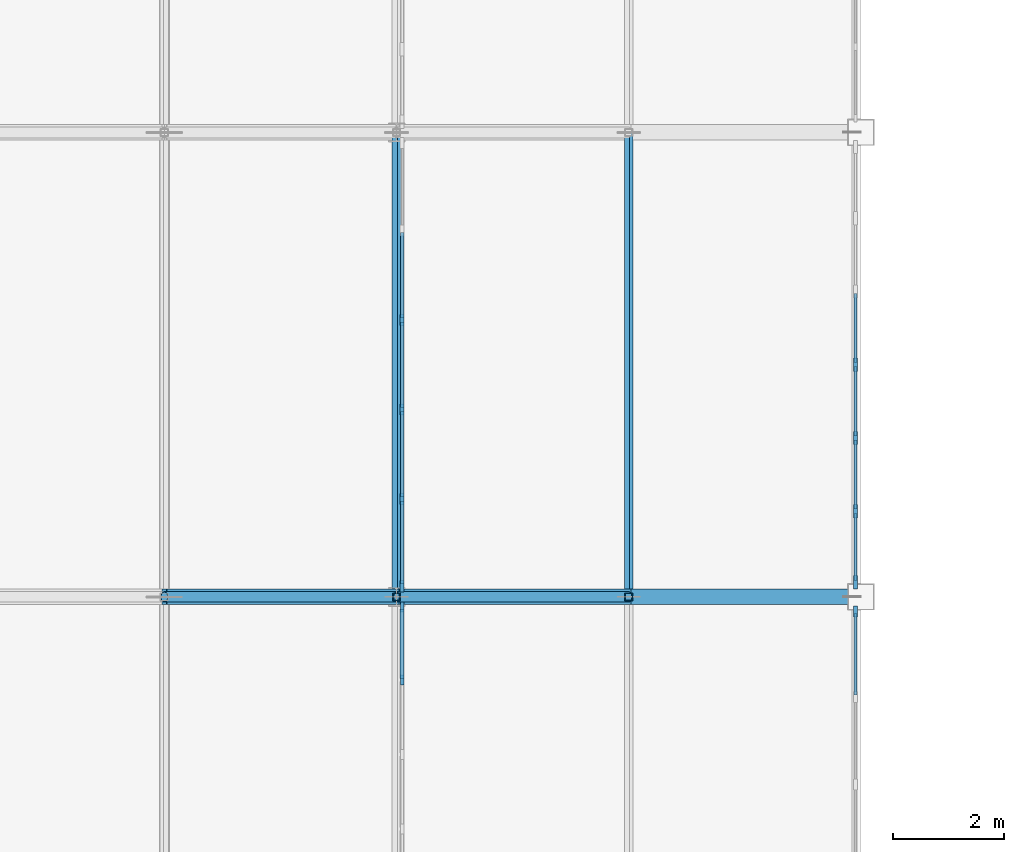
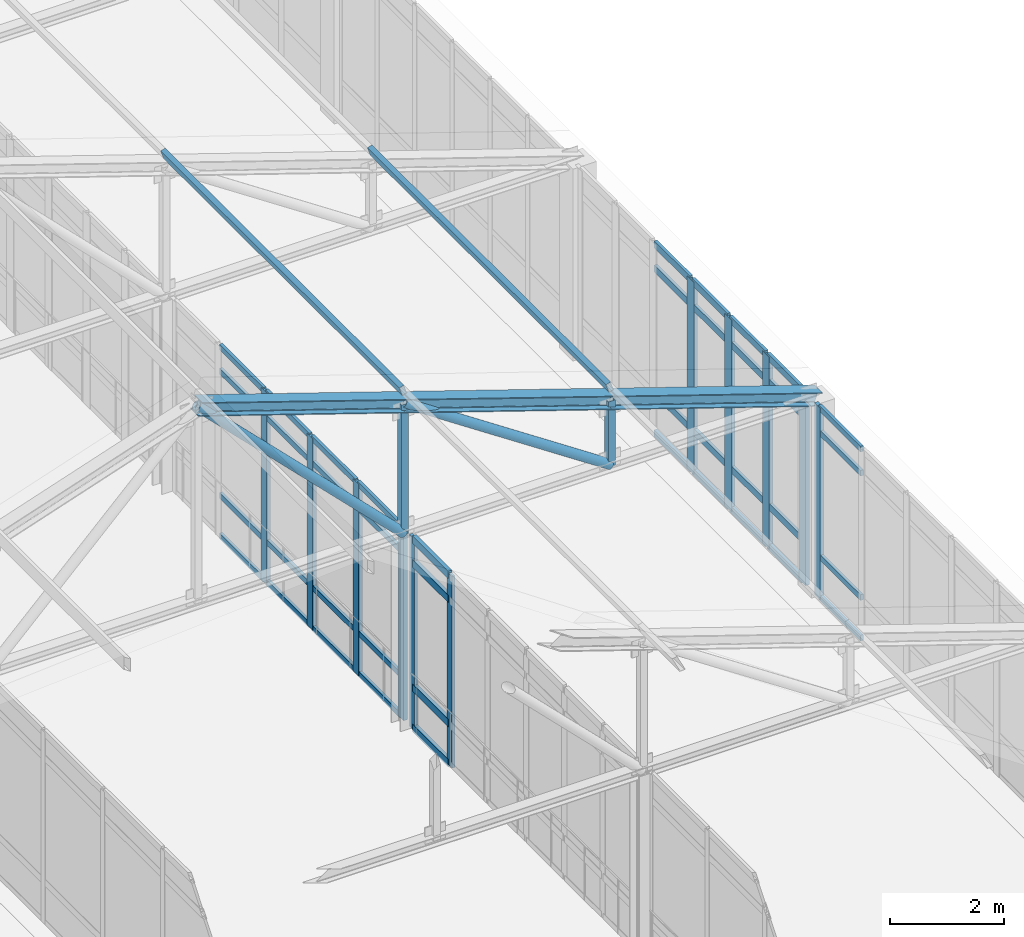
# One storey, part 64 of 192: 60 members, 4 elements without a shape of their own.
"""IFC4 building model written with IfcOpenShell, lengths in metres."""

from ifc_helpers import new_model, si_unit, direction, frame, origin, origin_2d, place, context, subcontext, project, spatial, rectangle, hollow_rectangle, hollow_circle, i_section, extrude, material, layer, layer_set, material_profile, profile_set, type_object, element, aggregate, save


model = new_model("IFC4")

# Units and contexts
model_context = context("Model", 3, precision=1e-05, world=origin(), true_north=direction((0.0, 1.0)))
body_context = subcontext(model_context, "Body", "Model", "MODEL_VIEW")
ifc_project = project(units=[si_unit("LENGTHUNIT", "METRE"), si_unit("AREAUNIT", "SQUARE_METRE"), si_unit("VOLUMEUNIT", "CUBIC_METRE"), si_unit("PLANEANGLEUNIT", "RADIAN"), si_unit("MASSUNIT", "GRAM", prefix="KILO")], contexts=[model_context])

# Site, building, storey
site_placement = place(None, origin())
site = spatial("IfcSite", under=ifc_project, at=site_placement, CompositionType="ELEMENT")
building_placement = place(site_placement, origin())
building = spatial("IfcBuilding", under=site, at=building_placement, Name="Kveldsbrygga Polytechnic", CompositionType="ELEMENT")
storey_placement = place(building_placement, frame((0.0, 0.0, 5.43994140625)))
storey = spatial("IfcBuildingStorey", under=building, at=storey_placement, Name="L01", CompositionType="ELEMENT", Elevation=5.43994140625)

# Curtain wall, members
ifc_material_1 = material(Name="Anodised aluminium AW-6060", Category="aluminium")
ifc_layer_1 = layer(ifc_material_1, 0.169921875)
ifc_layer_set_1 = layer_set([ifc_layer_1], Name="Anodised aluminium AW-6060")
curtain_wall_type_1 = type_object("IfcCurtainWallType", Name="CW-FOYR-F", PredefinedType="USERDEFINED", material=ifc_layer_set_1)
curtain_wall_1_placement = place(storey_placement, origin())
curtain_wall_1 = element("IfcCurtainWall", 1, at=curtain_wall_1_placement, inside=storey, type_object=curtain_wall_type_1, Name="Curtain Wall CW-L01-Y-08-03", ObjectType="STICK CURTAIN WALL", PredefinedType="USERDEFINED")
ifc_material_profile_1 = material_profile(ifc_material_1, rectangle(XDim=0.06005859375, YDim=0.179931640625, at=origin_2d()), Name="ALU 60x180")
ifc_profile_set_1 = profile_set([ifc_material_profile_1], Name="Anodised aluminium AW-6060")
member_type_1 = type_object("IfcMemberType", Name="CW-MUL-180", PredefinedType="MULLION", material=ifc_profile_set_1)
member_1_placement = place(storey_placement, frame((67.300048828125, 32.0966796875, 0.0), z_axis=(0.0, 0.0, 1.0), x_axis=(-1.0, 0.0, 0.0)))
member_1 = element("IfcMember", 2, at=member_1_placement, type_object=member_type_1, Name="CW-06 mullion 6", PredefinedType="MULLION", context=body_context, shape_type="SweptSolid", body=[
    extrude(rectangle(XDim=0.06005859375, YDim=0.179931640625, at=origin_2d()), origin(), (0.0, 0.0, 1.0), 4.1201171875),
])
member_2_placement = place(storey_placement, frame((67.300048828125, 33.4150390625, 0.0), z_axis=(0.0, 0.0, 1.0), x_axis=(-1.0, 0.0, 0.0)))
member_2 = element("IfcMember", 3, at=member_2_placement, type_object=member_type_1, Name="CW-06 mullion 7", PredefinedType="MULLION", context=body_context, shape_type="SweptSolid", body=[
    extrude(rectangle(XDim=0.06005859375, YDim=0.179931640625, at=origin_2d()), origin(), (0.0, 0.0, 1.0), 4.1201171875),
])

# Curtain wall, member
ifc_layer_2 = layer(ifc_material_1, 0.18994140625)
ifc_layer_set_2 = layer_set([ifc_layer_2], Name="Anodised aluminium AW-6060")
curtain_wall_type_2 = type_object("IfcCurtainWallType", Name="CW-REFC-G", PredefinedType="USERDEFINED", material=ifc_layer_set_2)
curtain_wall_2_placement = place(storey_placement, origin())
curtain_wall_2 = element("IfcCurtainWall", 4, at=curtain_wall_2_placement, inside=storey, type_object=curtain_wall_type_2, Name="Curtain Wall CW-L01-Y-09-03", ObjectType="UNITISED CURTAIN WALL", PredefinedType="USERDEFINED")
ifc_material_profile_2 = material_profile(ifc_material_1, rectangle(XDim=0.074951171875, YDim=0.199951171875, at=origin_2d()), Name="ALU 75x200")
ifc_profile_set_2 = profile_set([ifc_material_profile_2], Name="Anodised aluminium AW-6060")
member_type_2 = type_object("IfcMemberType", Name="CW-MUL-200", PredefinedType="MULLION", material=ifc_profile_set_2)
member_3_placement = place(storey_placement, frame((75.5, 33.33740234375, 0.0), z_axis=(0.0, 0.0, 1.0), x_axis=(-1.0, 0.0, 0.0)))
member_3 = element("IfcMember", 5, at=member_3_placement, type_object=member_type_2, Name="CW-07 mullion 6", PredefinedType="MULLION", context=body_context, shape_type="SweptSolid", body=[
    extrude(rectangle(XDim=0.074951171875, YDim=0.199951171875, at=origin_2d()), origin(), (0.0, 0.0, 1.0), 4.1201171875),
])

# Curtain wall, members
curtain_wall_3_placement = place(storey_placement, origin())
curtain_wall_3 = element("IfcCurtainWall", 6, at=curtain_wall_3_placement, inside=storey, type_object=curtain_wall_type_2, Name="Curtain Wall CW-L01-Y-08-04", ObjectType="UNITISED CURTAIN WALL", PredefinedType="USERDEFINED")
member_4_placement = place(storey_placement, frame((67.300048828125, 33.79248046875, 0.0), z_axis=(0.0, 0.0, 1.0), x_axis=(-1.0, 0.0, 0.0)))
member_4 = element("IfcMember", 7, at=member_4_placement, type_object=member_type_2, Name="CW-07 mullion 1", PredefinedType="MULLION", context=body_context, shape_type="SweptSolid", body=[
    extrude(rectangle(XDim=0.074951171875, YDim=0.199951171875, at=origin_2d()), origin(), (0.0, 0.0, 1.0), 4.1201171875),
])
member_5_placement = place(storey_placement, frame((67.300048828125, 35.373046875, 0.0), z_axis=(0.0, 0.0, 1.0), x_axis=(-1.0, 0.0, 0.0)))
member_5 = element("IfcMember", 8, at=member_5_placement, type_object=member_type_2, Name="CW-07 mullion 2", PredefinedType="MULLION", context=body_context, shape_type="SweptSolid", body=[
    extrude(rectangle(XDim=0.074951171875, YDim=0.199951171875, at=origin_2d()), origin(), (0.0, 0.0, 1.0), 4.1201171875),
])
member_6_placement = place(storey_placement, frame((67.300048828125, 36.990966796875, 0.0), z_axis=(0.0, 0.0, 1.0), x_axis=(-1.0, 0.0, 0.0)))
member_6 = element("IfcMember", 9, at=member_6_placement, type_object=member_type_2, Name="CW-07 mullion 3", PredefinedType="MULLION", context=body_context, shape_type="SweptSolid", body=[
    extrude(rectangle(XDim=0.074951171875, YDim=0.199951171875, at=origin_2d()), origin(), (0.0, 0.0, 1.0), 4.1201171875),
])
member_7_placement = place(storey_placement, frame((67.300048828125, 38.60888671875, 0.0), z_axis=(0.0, 0.0, 1.0), x_axis=(-1.0, 0.0, 0.0)))
member_7 = element("IfcMember", 10, at=member_7_placement, type_object=member_type_2, Name="CW-07 mullion 4", PredefinedType="MULLION", context=body_context, shape_type="SweptSolid", body=[
    extrude(rectangle(XDim=0.074951171875, YDim=0.199951171875, at=origin_2d()), origin(), (0.0, 0.0, 1.0), 4.1201171875),
])

ifc_layer_3 = layer(ifc_material_1, 0.2099609375)
ifc_layer_set_3 = layer_set([ifc_layer_3], Name="Anodised aluminium AW-6060")
curtain_wall_type_3 = type_object("IfcCurtainWallType", Name="CW-LIBR-H", PredefinedType="USERDEFINED", material=ifc_layer_set_3)
curtain_wall_4_placement = place(storey_placement, origin())
curtain_wall_4 = element("IfcCurtainWall", 11, at=curtain_wall_4_placement, inside=storey, type_object=curtain_wall_type_3, Name="Curtain Wall CW-L01-Y-09-04", ObjectType="UNITISED CURTAIN WALL", PredefinedType="USERDEFINED")
ifc_material_profile_3 = material_profile(ifc_material_1, rectangle(XDim=0.074951171875, YDim=0.239990234375, at=origin_2d()), Name="ALU 75x240")
ifc_profile_set_3 = profile_set([ifc_material_profile_3], Name="Anodised aluminium AW-6060")
member_type_3 = type_object("IfcMemberType", Name="CW-MUL-240", PredefinedType="MULLION", material=ifc_profile_set_3)
member_8_placement = place(storey_placement, frame((75.5, 33.862548828125, 0.0), z_axis=(0.0, 0.0, 1.0), x_axis=(-1.0, 0.0, 0.0)))
member_8 = element("IfcMember", 12, at=member_8_placement, type_object=member_type_3, Name="CW-08 mullion 1", PredefinedType="MULLION", context=body_context, shape_type="SweptSolid", body=[
    extrude(rectangle(XDim=0.074951171875, YDim=0.239990234375, at=origin_2d()), origin(), (0.0, 0.0, 1.0), 4.1201171875),
])
member_9_placement = place(storey_placement, frame((75.5, 35.14990234375, 0.0), z_axis=(0.0, 0.0, 1.0), x_axis=(-1.0, 0.0, 0.0)))
member_9 = element("IfcMember", 13, at=member_9_placement, type_object=member_type_3, Name="CW-08 mullion 2", PredefinedType="MULLION", context=body_context, shape_type="SweptSolid", body=[
    extrude(rectangle(XDim=0.074951171875, YDim=0.239990234375, at=origin_2d()), origin(), (0.0, 0.0, 1.0), 4.1201171875),
])
member_10_placement = place(storey_placement, frame((75.5, 36.47509765625, 0.0), z_axis=(0.0, 0.0, 1.0), x_axis=(-1.0, 0.0, 0.0)))
member_10 = element("IfcMember", 14, at=member_10_placement, type_object=member_type_3, Name="CW-08 mullion 3", PredefinedType="MULLION", context=body_context, shape_type="SweptSolid", body=[
    extrude(rectangle(XDim=0.074951171875, YDim=0.239990234375, at=origin_2d()), origin(), (0.0, 0.0, 1.0), 4.1201171875),
])
member_11_placement = place(storey_placement, frame((75.5, 37.800048828125, 0.0), z_axis=(0.0, 0.0, 1.0), x_axis=(-1.0, 0.0, 0.0)))
member_11 = element("IfcMember", 15, at=member_11_placement, type_object=member_type_3, Name="CW-08 mullion 4", PredefinedType="MULLION", context=body_context, shape_type="SweptSolid", body=[
    extrude(rectangle(XDim=0.074951171875, YDim=0.239990234375, at=origin_2d()), origin(), (0.0, 0.0, 1.0), 4.1201171875),
])

# Member
ifc_material_profile_4 = material_profile(ifc_material_1, rectangle(XDim=0.06005859375, YDim=0.1201171875, at=origin_2d()), Name="ALU 60x120")
ifc_profile_set_4 = profile_set([ifc_material_profile_4], Name="Anodised aluminium AW-6060")
member_type_4 = type_object("IfcMemberType", Name="CW-TRN-120", PredefinedType="USERDEFINED", material=ifc_profile_set_4)
member_12_placement = place(storey_placement, frame((75.5, 31.82958984375, 0.030029296875), z_axis=(0.0, 1.0, 0.0), x_axis=(-1.0, 0.0, 0.0)))
member_12 = element("IfcMember", 16, at=member_12_placement, type_object=member_type_4, Name="CW-07 transom 5.1", ObjectType="TRANSOM", PredefinedType="USERDEFINED", context=body_context, shape_type="SweptSolid", body=[
    extrude(rectangle(XDim=0.06005859375, YDim=0.1201171875, at=origin_2d()), origin(), (0.0, 0.0, 1.0), 1.470458984375),
])

member_13_placement = place(storey_placement, frame((75.5, 31.82958984375, 0.900146484375), z_axis=(0.0, 1.0, 0.0), x_axis=(-1.0, 0.0, 0.0)))
member_13 = element("IfcMember", 17, at=member_13_placement, type_object=member_type_4, Name="CW-07 transom 5.2", ObjectType="TRANSOM", PredefinedType="USERDEFINED", context=body_context, shape_type="SweptSolid", body=[
    extrude(rectangle(XDim=0.06005859375, YDim=0.1201171875, at=origin_2d()), origin(), (0.0, 0.0, 1.0), 1.470458984375),
])

member_14_placement = place(storey_placement, frame((75.5, 31.82958984375, 3.570068359375), z_axis=(0.0, 1.0, 0.0), x_axis=(-1.0, 0.0, 0.0)))
member_14 = element("IfcMember", 18, at=member_14_placement, type_object=member_type_4, Name="CW-07 transom 5.3", ObjectType="TRANSOM", PredefinedType="USERDEFINED", context=body_context, shape_type="SweptSolid", body=[
    extrude(rectangle(XDim=0.06005859375, YDim=0.1201171875, at=origin_2d()), origin(), (0.0, 0.0, 1.0), 1.470458984375),
])

member_15_placement = place(storey_placement, frame((75.5, 31.82958984375, 4.090087890625), z_axis=(0.0, 1.0, 0.0), x_axis=(-1.0, 0.0, 0.0)))
member_15 = element("IfcMember", 19, at=member_15_placement, type_object=member_type_4, Name="CW-07 transom 5.4", ObjectType="TRANSOM", PredefinedType="USERDEFINED", context=body_context, shape_type="SweptSolid", body=[
    extrude(rectangle(XDim=0.06005859375, YDim=0.1201171875, at=origin_2d()), origin(), (0.0, 0.0, 1.0), 1.470458984375),
])

aggregate(curtain_wall_2, [member_3, member_12, member_13, member_14, member_15])

member_16_placement = place(storey_placement, frame((67.300048828125, 33.830078125, 0.030029296875), z_axis=(0.0, 1.0, 0.0), x_axis=(-1.0, 0.0, 0.0)))
member_16 = element("IfcMember", 20, at=member_16_placement, type_object=member_type_4, Name="CW-07 transom 1.1", ObjectType="TRANSOM", PredefinedType="USERDEFINED", context=body_context, shape_type="SweptSolid", body=[
    extrude(rectangle(XDim=0.06005859375, YDim=0.1201171875, at=origin_2d()), origin(), (0.0, 0.0, 1.0), 1.50537109375),
])

member_17_placement = place(storey_placement, frame((67.300048828125, 33.830078125, 0.900146484375), z_axis=(0.0, 1.0, 0.0), x_axis=(-1.0, 0.0, 0.0)))
member_17 = element("IfcMember", 21, at=member_17_placement, type_object=member_type_4, Name="CW-07 transom 1.2", ObjectType="TRANSOM", PredefinedType="USERDEFINED", context=body_context, shape_type="SweptSolid", body=[
    extrude(rectangle(XDim=0.06005859375, YDim=0.1201171875, at=origin_2d()), origin(), (0.0, 0.0, 1.0), 1.50537109375),
])

member_18_placement = place(storey_placement, frame((67.300048828125, 33.830078125, 3.570068359375), z_axis=(0.0, 1.0, 0.0), x_axis=(-1.0, 0.0, 0.0)))
member_18 = element("IfcMember", 22, at=member_18_placement, type_object=member_type_4, Name="CW-07 transom 1.3", ObjectType="TRANSOM", PredefinedType="USERDEFINED", context=body_context, shape_type="SweptSolid", body=[
    extrude(rectangle(XDim=0.06005859375, YDim=0.1201171875, at=origin_2d()), origin(), (0.0, 0.0, 1.0), 1.50537109375),
])

member_19_placement = place(storey_placement, frame((67.300048828125, 33.830078125, 4.090087890625), z_axis=(0.0, 1.0, 0.0), x_axis=(-1.0, 0.0, 0.0)))
member_19 = element("IfcMember", 23, at=member_19_placement, type_object=member_type_4, Name="CW-07 transom 1.4", ObjectType="TRANSOM", PredefinedType="USERDEFINED", context=body_context, shape_type="SweptSolid", body=[
    extrude(rectangle(XDim=0.06005859375, YDim=0.1201171875, at=origin_2d()), origin(), (0.0, 0.0, 1.0), 1.50537109375),
])

member_20_placement = place(storey_placement, frame((67.300048828125, 35.410400390625, 0.030029296875), z_axis=(0.0, 1.0, 0.0), x_axis=(-1.0, 0.0, 0.0)))
member_20 = element("IfcMember", 24, at=member_20_placement, type_object=member_type_4, Name="CW-07 transom 2.1", ObjectType="TRANSOM", PredefinedType="USERDEFINED", context=body_context, shape_type="SweptSolid", body=[
    extrude(rectangle(XDim=0.06005859375, YDim=0.1201171875, at=origin_2d()), origin(), (0.0, 0.0, 1.0), 1.543212890625),
])

member_21_placement = place(storey_placement, frame((67.300048828125, 35.410400390625, 0.900146484375), z_axis=(0.0, 1.0, 0.0), x_axis=(-1.0, 0.0, 0.0)))
member_21 = element("IfcMember", 25, at=member_21_placement, type_object=member_type_4, Name="CW-07 transom 2.2", ObjectType="TRANSOM", PredefinedType="USERDEFINED", context=body_context, shape_type="SweptSolid", body=[
    extrude(rectangle(XDim=0.06005859375, YDim=0.1201171875, at=origin_2d()), origin(), (0.0, 0.0, 1.0), 1.543212890625),
])

member_22_placement = place(storey_placement, frame((67.300048828125, 35.410400390625, 3.570068359375), z_axis=(0.0, 1.0, 0.0), x_axis=(-1.0, 0.0, 0.0)))
member_22 = element("IfcMember", 26, at=member_22_placement, type_object=member_type_4, Name="CW-07 transom 2.3", ObjectType="TRANSOM", PredefinedType="USERDEFINED", context=body_context, shape_type="SweptSolid", body=[
    extrude(rectangle(XDim=0.06005859375, YDim=0.1201171875, at=origin_2d()), origin(), (0.0, 0.0, 1.0), 1.543212890625),
])

member_23_placement = place(storey_placement, frame((67.300048828125, 35.410400390625, 4.090087890625), z_axis=(0.0, 1.0, 0.0), x_axis=(-1.0, 0.0, 0.0)))
member_23 = element("IfcMember", 27, at=member_23_placement, type_object=member_type_4, Name="CW-07 transom 2.4", ObjectType="TRANSOM", PredefinedType="USERDEFINED", context=body_context, shape_type="SweptSolid", body=[
    extrude(rectangle(XDim=0.06005859375, YDim=0.1201171875, at=origin_2d()), origin(), (0.0, 0.0, 1.0), 1.543212890625),
])

member_24_placement = place(storey_placement, frame((67.300048828125, 37.028564453125, 0.030029296875), z_axis=(0.0, 1.0, 0.0), x_axis=(-1.0, 0.0, 0.0)))
member_24 = element("IfcMember", 28, at=member_24_placement, type_object=member_type_4, Name="CW-07 transom 3.1", ObjectType="TRANSOM", PredefinedType="USERDEFINED", context=body_context, shape_type="SweptSolid", body=[
    extrude(rectangle(XDim=0.06005859375, YDim=0.1201171875, at=origin_2d()), origin(), (0.0, 0.0, 1.0), 1.54296875),
])

member_25_placement = place(storey_placement, frame((67.300048828125, 37.028564453125, 0.900146484375), z_axis=(0.0, 1.0, 0.0), x_axis=(-1.0, 0.0, 0.0)))
member_25 = element("IfcMember", 29, at=member_25_placement, type_object=member_type_4, Name="CW-07 transom 3.2", ObjectType="TRANSOM", PredefinedType="USERDEFINED", context=body_context, shape_type="SweptSolid", body=[
    extrude(rectangle(XDim=0.06005859375, YDim=0.1201171875, at=origin_2d()), origin(), (0.0, 0.0, 1.0), 1.54296875),
])

member_26_placement = place(storey_placement, frame((67.300048828125, 37.028564453125, 3.570068359375), z_axis=(0.0, 1.0, 0.0), x_axis=(-1.0, 0.0, 0.0)))
member_26 = element("IfcMember", 30, at=member_26_placement, type_object=member_type_4, Name="CW-07 transom 3.3", ObjectType="TRANSOM", PredefinedType="USERDEFINED", context=body_context, shape_type="SweptSolid", body=[
    extrude(rectangle(XDim=0.06005859375, YDim=0.1201171875, at=origin_2d()), origin(), (0.0, 0.0, 1.0), 1.54296875),
])

member_27_placement = place(storey_placement, frame((67.300048828125, 37.028564453125, 4.090087890625), z_axis=(0.0, 1.0, 0.0), x_axis=(-1.0, 0.0, 0.0)))
member_27 = element("IfcMember", 31, at=member_27_placement, type_object=member_type_4, Name="CW-07 transom 3.4", ObjectType="TRANSOM", PredefinedType="USERDEFINED", context=body_context, shape_type="SweptSolid", body=[
    extrude(rectangle(XDim=0.06005859375, YDim=0.1201171875, at=origin_2d()), origin(), (0.0, 0.0, 1.0), 1.54296875),
])

member_28_placement = place(storey_placement, frame((67.300048828125, 38.646484375, 0.030029296875), z_axis=(0.0, 1.0, 0.0), x_axis=(-1.0, 0.0, 0.0)))
member_28 = element("IfcMember", 32, at=member_28_placement, type_object=member_type_4, Name="CW-07 transom 4.1", ObjectType="TRANSOM", PredefinedType="USERDEFINED", context=body_context, shape_type="SweptSolid", body=[
    extrude(rectangle(XDim=0.06005859375, YDim=0.1201171875, at=origin_2d()), origin(), (0.0, 0.0, 1.0), 1.54296875),
])

member_29_placement = place(storey_placement, frame((67.300048828125, 38.646484375, 0.900146484375), z_axis=(0.0, 1.0, 0.0), x_axis=(-1.0, 0.0, 0.0)))
member_29 = element("IfcMember", 33, at=member_29_placement, type_object=member_type_4, Name="CW-07 transom 4.2", ObjectType="TRANSOM", PredefinedType="USERDEFINED", context=body_context, shape_type="SweptSolid", body=[
    extrude(rectangle(XDim=0.06005859375, YDim=0.1201171875, at=origin_2d()), origin(), (0.0, 0.0, 1.0), 1.54296875),
])

member_30_placement = place(storey_placement, frame((67.300048828125, 38.646484375, 3.570068359375), z_axis=(0.0, 1.0, 0.0), x_axis=(-1.0, 0.0, 0.0)))
member_30 = element("IfcMember", 34, at=member_30_placement, type_object=member_type_4, Name="CW-07 transom 4.3", ObjectType="TRANSOM", PredefinedType="USERDEFINED", context=body_context, shape_type="SweptSolid", body=[
    extrude(rectangle(XDim=0.06005859375, YDim=0.1201171875, at=origin_2d()), origin(), (0.0, 0.0, 1.0), 1.54296875),
])

member_31_placement = place(storey_placement, frame((67.300048828125, 38.646484375, 4.090087890625), z_axis=(0.0, 1.0, 0.0), x_axis=(-1.0, 0.0, 0.0)))
member_31 = element("IfcMember", 35, at=member_31_placement, type_object=member_type_4, Name="CW-07 transom 4.4", ObjectType="TRANSOM", PredefinedType="USERDEFINED", context=body_context, shape_type="SweptSolid", body=[
    extrude(rectangle(XDim=0.06005859375, YDim=0.1201171875, at=origin_2d()), origin(), (0.0, 0.0, 1.0), 1.54296875),
])

aggregate(curtain_wall_3, [member_4, member_5, member_6, member_7, member_16, member_17, member_18, member_19, member_20, member_21, member_22, member_23, member_24, member_25, member_26, member_27, member_28, member_29, member_30, member_31])

ifc_material_profile_5 = material_profile(ifc_material_1, rectangle(XDim=0.06005859375, YDim=0.14990234375, at=origin_2d()), Name="ALU 60x150")
ifc_profile_set_5 = profile_set([ifc_material_profile_5], Name="Anodised aluminium AW-6060")
member_type_5 = type_object("IfcMemberType", Name="CW-TRN-150", PredefinedType="USERDEFINED", material=ifc_profile_set_5)
member_32_placement = place(storey_placement, frame((75.5, 33.89990234375, 0.030029296875), z_axis=(0.0, 1.0, 0.0), x_axis=(-1.0, 0.0, 0.0)))
member_32 = element("IfcMember", 36, at=member_32_placement, type_object=member_type_5, Name="CW-08 transom 1.1", ObjectType="TRANSOM", PredefinedType="USERDEFINED", context=body_context, shape_type="SweptSolid", body=[
    extrude(rectangle(XDim=0.06005859375, YDim=0.14990234375, at=origin_2d()), origin(), (0.0, 0.0, 1.0), 1.212646484375),
])

member_33_placement = place(storey_placement, frame((75.5, 33.89990234375, 0.900146484375), z_axis=(0.0, 1.0, 0.0), x_axis=(-1.0, 0.0, 0.0)))
member_33 = element("IfcMember", 37, at=member_33_placement, type_object=member_type_5, Name="CW-08 transom 1.2", ObjectType="TRANSOM", PredefinedType="USERDEFINED", context=body_context, shape_type="SweptSolid", body=[
    extrude(rectangle(XDim=0.06005859375, YDim=0.14990234375, at=origin_2d()), origin(), (0.0, 0.0, 1.0), 1.212646484375),
])

member_34_placement = place(storey_placement, frame((75.5, 33.89990234375, 3.570068359375), z_axis=(0.0, 1.0, 0.0), x_axis=(-1.0, 0.0, 0.0)))
member_34 = element("IfcMember", 38, at=member_34_placement, type_object=member_type_5, Name="CW-08 transom 1.3", ObjectType="TRANSOM", PredefinedType="USERDEFINED", context=body_context, shape_type="SweptSolid", body=[
    extrude(rectangle(XDim=0.06005859375, YDim=0.14990234375, at=origin_2d()), origin(), (0.0, 0.0, 1.0), 1.212646484375),
])

member_35_placement = place(storey_placement, frame((75.5, 33.89990234375, 4.090087890625), z_axis=(0.0, 1.0, 0.0), x_axis=(-1.0, 0.0, 0.0)))
member_35 = element("IfcMember", 39, at=member_35_placement, type_object=member_type_5, Name="CW-08 transom 1.4", ObjectType="TRANSOM", PredefinedType="USERDEFINED", context=body_context, shape_type="SweptSolid", body=[
    extrude(rectangle(XDim=0.06005859375, YDim=0.14990234375, at=origin_2d()), origin(), (0.0, 0.0, 1.0), 1.212646484375),
])

member_36_placement = place(storey_placement, frame((75.5, 35.1875, 0.030029296875), z_axis=(0.0, 1.0, 0.0), x_axis=(-1.0, 0.0, 0.0)))
member_36 = element("IfcMember", 40, at=member_36_placement, type_object=member_type_5, Name="CW-08 transom 2.1", ObjectType="TRANSOM", PredefinedType="USERDEFINED", context=body_context, shape_type="SweptSolid", body=[
    extrude(rectangle(XDim=0.06005859375, YDim=0.14990234375, at=origin_2d()), origin(), (0.0, 0.0, 1.0), 1.25),
])

member_37_placement = place(storey_placement, frame((75.5, 35.1875, 0.900146484375), z_axis=(0.0, 1.0, 0.0), x_axis=(-1.0, 0.0, 0.0)))
member_37 = element("IfcMember", 41, at=member_37_placement, type_object=member_type_5, Name="CW-08 transom 2.2", ObjectType="TRANSOM", PredefinedType="USERDEFINED", context=body_context, shape_type="SweptSolid", body=[
    extrude(rectangle(XDim=0.06005859375, YDim=0.14990234375, at=origin_2d()), origin(), (0.0, 0.0, 1.0), 1.25),
])

member_38_placement = place(storey_placement, frame((75.5, 35.1875, 3.570068359375), z_axis=(0.0, 1.0, 0.0), x_axis=(-1.0, 0.0, 0.0)))
member_38 = element("IfcMember", 42, at=member_38_placement, type_object=member_type_5, Name="CW-08 transom 2.3", ObjectType="TRANSOM", PredefinedType="USERDEFINED", context=body_context, shape_type="SweptSolid", body=[
    extrude(rectangle(XDim=0.06005859375, YDim=0.14990234375, at=origin_2d()), origin(), (0.0, 0.0, 1.0), 1.25),
])

member_39_placement = place(storey_placement, frame((75.5, 35.1875, 4.090087890625), z_axis=(0.0, 1.0, 0.0), x_axis=(-1.0, 0.0, 0.0)))
member_39 = element("IfcMember", 43, at=member_39_placement, type_object=member_type_5, Name="CW-08 transom 2.4", ObjectType="TRANSOM", PredefinedType="USERDEFINED", context=body_context, shape_type="SweptSolid", body=[
    extrude(rectangle(XDim=0.06005859375, YDim=0.14990234375, at=origin_2d()), origin(), (0.0, 0.0, 1.0), 1.25),
])

member_40_placement = place(storey_placement, frame((75.5, 36.512451171875, 0.030029296875), z_axis=(0.0, 1.0, 0.0), x_axis=(-1.0, 0.0, 0.0)))
member_40 = element("IfcMember", 44, at=member_40_placement, type_object=member_type_5, Name="CW-08 transom 3.1", ObjectType="TRANSOM", PredefinedType="USERDEFINED", context=body_context, shape_type="SweptSolid", body=[
    extrude(rectangle(XDim=0.06005859375, YDim=0.14990234375, at=origin_2d()), origin(), (0.0, 0.0, 1.0), 1.25),
])

member_41_placement = place(storey_placement, frame((75.5, 36.512451171875, 0.900146484375), z_axis=(0.0, 1.0, 0.0), x_axis=(-1.0, 0.0, 0.0)))
member_41 = element("IfcMember", 45, at=member_41_placement, type_object=member_type_5, Name="CW-08 transom 3.2", ObjectType="TRANSOM", PredefinedType="USERDEFINED", context=body_context, shape_type="SweptSolid", body=[
    extrude(rectangle(XDim=0.06005859375, YDim=0.14990234375, at=origin_2d()), origin(), (0.0, 0.0, 1.0), 1.25),
])

member_42_placement = place(storey_placement, frame((75.5, 36.512451171875, 3.570068359375), z_axis=(0.0, 1.0, 0.0), x_axis=(-1.0, 0.0, 0.0)))
member_42 = element("IfcMember", 46, at=member_42_placement, type_object=member_type_5, Name="CW-08 transom 3.3", ObjectType="TRANSOM", PredefinedType="USERDEFINED", context=body_context, shape_type="SweptSolid", body=[
    extrude(rectangle(XDim=0.06005859375, YDim=0.14990234375, at=origin_2d()), origin(), (0.0, 0.0, 1.0), 1.25),
])

member_43_placement = place(storey_placement, frame((75.5, 36.512451171875, 4.090087890625), z_axis=(0.0, 1.0, 0.0), x_axis=(-1.0, 0.0, 0.0)))
member_43 = element("IfcMember", 47, at=member_43_placement, type_object=member_type_5, Name="CW-08 transom 3.4", ObjectType="TRANSOM", PredefinedType="USERDEFINED", context=body_context, shape_type="SweptSolid", body=[
    extrude(rectangle(XDim=0.06005859375, YDim=0.14990234375, at=origin_2d()), origin(), (0.0, 0.0, 1.0), 1.25),
])

member_44_placement = place(storey_placement, frame((75.5, 37.83740234375, 0.030029296875), z_axis=(0.0, 1.0, 0.0), x_axis=(-1.0, 0.0, 0.0)))
member_44 = element("IfcMember", 48, at=member_44_placement, type_object=member_type_5, Name="CW-08 transom 4.1", ObjectType="TRANSOM", PredefinedType="USERDEFINED", context=body_context, shape_type="SweptSolid", body=[
    extrude(rectangle(XDim=0.06005859375, YDim=0.14990234375, at=origin_2d()), origin(), (0.0, 0.0, 1.0), 1.25),
])

member_45_placement = place(storey_placement, frame((75.5, 37.83740234375, 0.900146484375), z_axis=(0.0, 1.0, 0.0), x_axis=(-1.0, 0.0, 0.0)))
member_45 = element("IfcMember", 49, at=member_45_placement, type_object=member_type_5, Name="CW-08 transom 4.2", ObjectType="TRANSOM", PredefinedType="USERDEFINED", context=body_context, shape_type="SweptSolid", body=[
    extrude(rectangle(XDim=0.06005859375, YDim=0.14990234375, at=origin_2d()), origin(), (0.0, 0.0, 1.0), 1.25),
])

member_46_placement = place(storey_placement, frame((75.5, 37.83740234375, 3.570068359375), z_axis=(0.0, 1.0, 0.0), x_axis=(-1.0, 0.0, 0.0)))
member_46 = element("IfcMember", 50, at=member_46_placement, type_object=member_type_5, Name="CW-08 transom 4.3", ObjectType="TRANSOM", PredefinedType="USERDEFINED", context=body_context, shape_type="SweptSolid", body=[
    extrude(rectangle(XDim=0.06005859375, YDim=0.14990234375, at=origin_2d()), origin(), (0.0, 0.0, 1.0), 1.25),
])

member_47_placement = place(storey_placement, frame((75.5, 37.83740234375, 4.090087890625), z_axis=(0.0, 1.0, 0.0), x_axis=(-1.0, 0.0, 0.0)))
member_47 = element("IfcMember", 51, at=member_47_placement, type_object=member_type_5, Name="CW-08 transom 4.4", ObjectType="TRANSOM", PredefinedType="USERDEFINED", context=body_context, shape_type="SweptSolid", body=[
    extrude(rectangle(XDim=0.06005859375, YDim=0.14990234375, at=origin_2d()), origin(), (0.0, 0.0, 1.0), 1.25),
])

aggregate(curtain_wall_4, [member_8, member_9, member_10, member_11, member_32, member_33, member_34, member_35, member_36, member_37, member_38, member_39, member_40, member_41, member_42, member_43, member_44, member_45, member_46, member_47])

ifc_material_profile_6 = material_profile(ifc_material_1, rectangle(XDim=0.074951171875, YDim=0.159912109375, at=origin_2d()), Name="ALU 75x160")
ifc_profile_set_6 = profile_set([ifc_material_profile_6], Name="Anodised aluminium AW-6060")
member_type_6 = type_object("IfcMemberType", Name="CW-TRN-160", PredefinedType="USERDEFINED", material=ifc_profile_set_6)
member_48_placement = place(storey_placement, frame((67.300048828125, 32.126708984375, 0.03759765625), z_axis=(0.0, 1.0, 0.0), x_axis=(-1.0, 0.0, 0.0)))
member_48 = element("IfcMember", 52, at=member_48_placement, type_object=member_type_6, Name="CW-06 transom 6.1", ObjectType="TRANSOM", PredefinedType="USERDEFINED", context=body_context, shape_type="SweptSolid", body=[
    extrude(rectangle(XDim=0.074951171875, YDim=0.159912109375, at=origin_2d()), origin(), (0.0, 0.0, 1.0), 1.25830078125),
])

member_49_placement = place(storey_placement, frame((67.300048828125, 32.126708984375, 0.900146484375), z_axis=(0.0, 1.0, 0.0), x_axis=(-1.0, 0.0, 0.0)))
member_49 = element("IfcMember", 53, at=member_49_placement, type_object=member_type_6, Name="CW-06 transom 6.2", ObjectType="TRANSOM", PredefinedType="USERDEFINED", context=body_context, shape_type="SweptSolid", body=[
    extrude(rectangle(XDim=0.074951171875, YDim=0.159912109375, at=origin_2d()), origin(), (0.0, 0.0, 1.0), 1.25830078125),
])

member_50_placement = place(storey_placement, frame((67.300048828125, 32.126708984375, 3.570068359375), z_axis=(0.0, 1.0, 0.0), x_axis=(-1.0, 0.0, 0.0)))
member_50 = element("IfcMember", 54, at=member_50_placement, type_object=member_type_6, Name="CW-06 transom 6.3", ObjectType="TRANSOM", PredefinedType="USERDEFINED", context=body_context, shape_type="SweptSolid", body=[
    extrude(rectangle(XDim=0.074951171875, YDim=0.159912109375, at=origin_2d()), origin(), (0.0, 0.0, 1.0), 1.25830078125),
])

member_51_placement = place(storey_placement, frame((67.300048828125, 32.126708984375, 4.08251953125), z_axis=(0.0, 1.0, 0.0), x_axis=(-1.0, 0.0, 0.0)))
member_51 = element("IfcMember", 55, at=member_51_placement, type_object=member_type_6, Name="CW-06 transom 6.4", ObjectType="TRANSOM", PredefinedType="USERDEFINED", context=body_context, shape_type="SweptSolid", body=[
    extrude(rectangle(XDim=0.074951171875, YDim=0.159912109375, at=origin_2d()), origin(), (0.0, 0.0, 1.0), 1.25830078125),
])

aggregate(curtain_wall_1, [member_1, member_2, member_48, member_49, member_50, member_51])

# Members
ifc_material_2 = material(Name="Steel S355", Category="steel")
ifc_material_profile_7 = material_profile(ifc_material_2, hollow_rectangle(XDim=0.10009765625, YDim=0.199951171875, WallThickness=0.010009765625, at=origin_2d()), Name="RHS 200x100x10.0")
ifc_profile_set_7 = profile_set([ifc_material_profile_7], Name="Steel S355")
member_type_7 = type_object("IfcMemberType", Name="PRL-RHS200", PredefinedType="PURLIN", material=ifc_profile_set_7)
for number, where, z_axis, x_axis, name in (
    (56, (67.199951171875, 33.60009765625, 7.173095703125), (0.0, 1.0, 0.0), (-0.948683567514, 0.0, -0.316226957624), "Roof Purlin V5C-PRL-4-4"),
    (57, (71.39990234375, 33.60009765625, 5.77294921875), (0.0, 1.0, 0.0), (-0.948683567514, 0.0, -0.316226957624), "Roof Purlin V5C-PRL-4-5"),
):
    element("IfcMember", number, at=place(storey_placement, frame(where, z_axis=z_axis, x_axis=x_axis)), inside=storey, type_object=member_type_7, Name=name, PredefinedType="PURLIN", context=body_context, shape_type="SweptSolid", body=[
        extrude(hollow_rectangle(XDim=0.10009765625, YDim=0.199951171875, WallThickness=0.010009765625, at=origin_2d()), origin(), (0.0, 0.0, 1.0), 8.39990234375),
    ])
ifc_material_profile_8 = material_profile(ifc_material_2, hollow_circle(Radius=0.096923828125, WallThickness=0.010009765625, at=origin_2d()), Name="CHS 193.7x10.0")
ifc_profile_set_8 = profile_set([ifc_material_profile_8], Name="Steel S355")
member_type_8 = type_object("IfcMemberType", Name="TR-DIAG-CHS194", PredefinedType="BRACE", material=ifc_profile_set_8)
member_52_placement = place(storey_placement, frame((63.0, 33.60009765625, 8.320068359375), z_axis=(0.707106781187, 0.0, -0.707106781187), x_axis=(0.0, 1.0, 0.0)))
element("IfcMember", 58, at=member_52_placement, inside=storey, type_object=member_type_8, Name="Truss Diagonal V5C-T04-DG-4", PredefinedType="BRACE", context=body_context, shape_type="SweptSolid", body=[
    extrude(hollow_circle(Radius=0.096923828125, WallThickness=0.010009765625, at=origin_2d()), origin(), (0.0, 0.0, 1.0), 5.939697265625),
])
member_53_placement = place(storey_placement, frame((67.199951171875, 33.60009765625, 6.920166015625), z_axis=(0.832042853317, 0.0, -0.554711357594), x_axis=(0.0, 1.0, 0.0)))
element("IfcMember", 59, at=member_53_placement, inside=storey, type_object=member_type_8, Name="Truss Diagonal V5C-T04-DG-5", PredefinedType="BRACE", context=body_context, shape_type="SweptSolid", body=[
    extrude(hollow_circle(Radius=0.096923828125, WallThickness=0.010009765625, at=origin_2d()), origin(), (0.0, 0.0, 1.0), 5.0478515625),
])
ifc_material_profile_9 = material_profile(ifc_material_2, hollow_rectangle(XDim=0.139892578125, YDim=0.139892578125, WallThickness=0.008056640625, at=origin_2d()), Name="SHS 140x140x8.0")
ifc_profile_set_9 = profile_set([ifc_material_profile_9], Name="Steel S355")
member_type_9 = type_object("IfcMemberType", Name="TR-POST-SHS140", PredefinedType="STRUT", material=ifc_profile_set_9)
member_54_placement = place(storey_placement, frame((67.199951171875, 33.60009765625, 4.1201171875), z_axis=(0.0, 0.0, 1.0), x_axis=(1.0, 0.0, 0.0)))
element("IfcMember", 60, at=member_54_placement, inside=storey, type_object=member_type_9, Name="Truss Vertical V5C-T04-VT-4", PredefinedType="STRUT", context=body_context, shape_type="SweptSolid", body=[
    extrude(hollow_rectangle(XDim=0.139892578125, YDim=0.139892578125, WallThickness=0.008056640625, at=origin_2d()), origin(), (0.0, 0.0, 1.0), 2.800048828125),
])
member_55_placement = place(storey_placement, frame((71.39990234375, 33.60009765625, 4.1201171875), z_axis=(0.0, 0.0, 1.0), x_axis=(1.0, 0.0, 0.0)))
element("IfcMember", 61, at=member_55_placement, inside=storey, type_object=member_type_9, Name="Truss Vertical V5C-T04-VT-5", PredefinedType="STRUT", context=body_context, shape_type="SweptSolid", body=[
    extrude(hollow_rectangle(XDim=0.139892578125, YDim=0.139892578125, WallThickness=0.008056640625, at=origin_2d()), origin(), (0.0, 0.0, 1.0), 1.39990234375),
])
ifc_material_profile_10 = material_profile(ifc_material_2, i_section(OverallWidth=0.280029296875, OverallDepth=0.280029296875, WebThickness=0.010498046875, FlangeThickness=0.01806640625, FilletRadius=0.02392578125, at=origin_2d()), Name="HEB 280")
ifc_profile_set_10 = profile_set([ifc_material_profile_10], Name="Steel S355")
member_type_10 = type_object("IfcMemberType", Name="TR-TOP-HEB280", PredefinedType="CHORD", material=ifc_profile_set_10)
member_56_placement = place(storey_placement, frame((63.0, 33.60009765625, 8.320068359375), z_axis=(0.948688812577, 0.0, -0.316211221956), x_axis=(0.0, 1.0, 0.0)))
element("IfcMember", 62, at=member_56_placement, inside=storey, type_object=member_type_10, Name="Truss Top Chord V5C-T04-TC-4", PredefinedType="CHORD", context=body_context, shape_type="SweptSolid", body=[
    extrude(i_section(OverallWidth=0.280029296875, OverallDepth=0.280029296875, WebThickness=0.010498046875, FlangeThickness=0.01806640625, FilletRadius=0.02392578125, at=origin_2d()), origin(), (0.0, 0.0, 1.0), 4.427001953125),
])
for number, where, z_axis, x_axis, name in (
    (63, (67.199951171875, 33.60009765625, 6.920166015625), (0.948672268324, 0.0, -0.316260853272), (0.0, 1.0, 0.0), "Truss Top Chord V5C-T04-TC-5"),
    (64, (71.39990234375, 33.60009765625, 5.52001953125), (0.948694326238, 0.0, -0.316194679531), (0.0, 1.0, 0.0), "Truss Top Chord V5C-T04-TC-6"),
):
    element("IfcMember", number, at=place(storey_placement, frame(where, z_axis=z_axis, x_axis=x_axis)), inside=storey, type_object=member_type_10, Name=name, PredefinedType="CHORD", context=body_context, shape_type="SweptSolid", body=[
        extrude(i_section(OverallWidth=0.280029296875, OverallDepth=0.280029296875, WebThickness=0.010498046875, FlangeThickness=0.01806640625, FilletRadius=0.02392578125, at=origin_2d()), origin(), (0.0, 0.0, 1.0), 4.42724609375),
    ])

save(model, "model.ifc")
